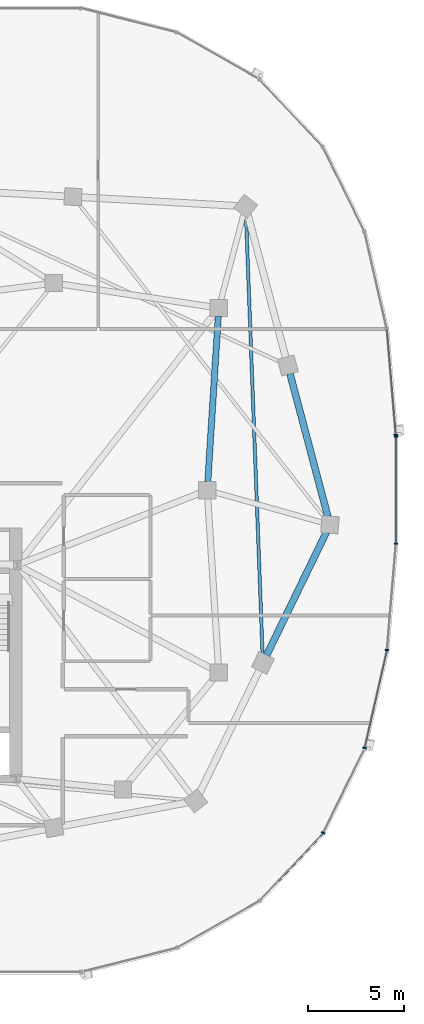
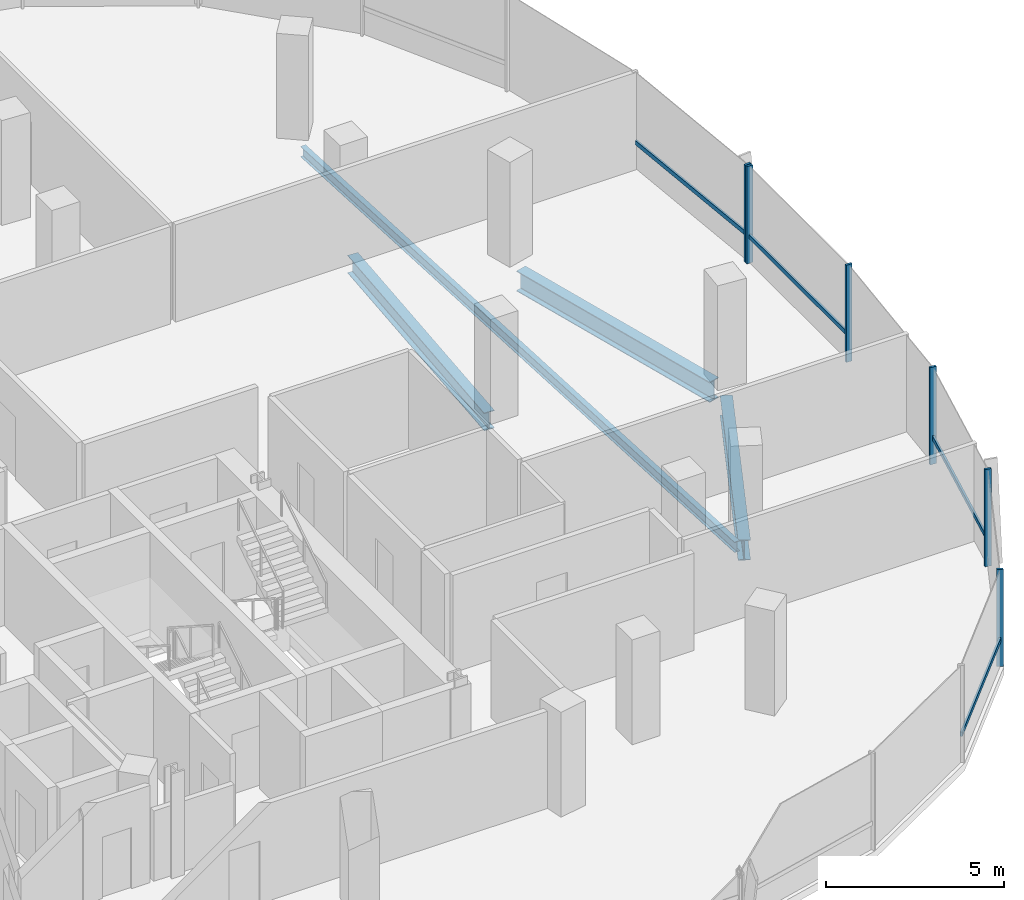
# One storey, part 10 of 25: 10 members, 4 beams, 2 elements without a shape of their own.
"""IFC4 building model written with IfcOpenShell, lengths in metres."""

from ifc_helpers import new_model, si_unit, direction, frame, origin, origin_2d, place, context, subcontext, project, spatial, rectangle, i_section, extrude, material, material_profile, profile_set, type_object, element, aggregate, save


model = new_model("IFC4")

# Units and contexts
model_context = context("Model", 3, precision=1e-05, world=origin(), true_north=direction((0.0, 1.0)))
body_context = subcontext(model_context, "Body", "Model", "MODEL_VIEW")
ifc_project = project(units=[si_unit("LENGTHUNIT", "METRE"), si_unit("AREAUNIT", "SQUARE_METRE"), si_unit("VOLUMEUNIT", "CUBIC_METRE"), si_unit("PLANEANGLEUNIT", "RADIAN"), si_unit("MASSUNIT", "GRAM", prefix="KILO"), si_unit("THERMODYNAMICTEMPERATUREUNIT", "KELVIN"), si_unit("POWERUNIT", "WATT")], contexts=[model_context])

# Site, building, storey
site_placement = place(None, origin())
site = spatial("IfcSite", under=ifc_project, at=site_placement, CompositionType="ELEMENT")
building_placement = place(site_placement, origin())
building = spatial("IfcBuilding", under=site, at=building_placement, Name="Cundina Bronze Exchange", CompositionType="ELEMENT")
storey_placement = place(building_placement, frame((0.0, 0.0, 209.800048828125)))
storey = spatial("IfcBuildingStorey", under=building, at=storey_placement, Name="L55", CompositionType="ELEMENT", Elevation=209.800048828125)

# Beams
ifc_material_1 = material(Name="Steel ASTM A992 Grade 50", Category="steel")
ifc_material_profile_1 = material_profile(ifc_material_1, i_section(OverallWidth=0.172119140625, OverallDepth=0.35791015625, WebThickness=0.0078125, FlangeThickness=0.01318359375, FilletRadius=0.010009765625, at=origin_2d()), Name="W14X38", Category="steel")
ifc_profile_set_1 = profile_set([ifc_material_profile_1], Name="Steel ASTM A992 Grade 50")
beam_type_1 = type_object("IfcBeamType", Name="BM-JST-W14", PredefinedType="JOIST", material=ifc_profile_set_1)
beam_1_placement = place(storey_placement, frame((44.08349609375, -8.562255859375, -0.43896484375), z_axis=(-0.037790216102, 0.999285694667, 0.0), x_axis=(-0.999285694667, -0.037790216102, 0.0)))
element("IfcBeam", 1, at=beam_1_placement, inside=storey, type_object=beam_type_1, Name="L55 Leg E Lobe Floor Joist 07-10", PredefinedType="JOIST", context=body_context, shape_type="SweptSolid", body=[
    extrude(i_section(OverallWidth=0.172119140625, OverallDepth=0.35791015625, WebThickness=0.0078125, FlangeThickness=0.01318359375, FilletRadius=0.010009765625, at=origin_2d()), origin(), (0.0, 0.0, 1.0), 22.94091796875),
])
ifc_material_profile_2 = material_profile(ifc_material_1, i_section(OverallWidth=0.324951171875, OverallDepth=0.615966796875, WebThickness=0.013916015625, FlangeThickness=0.021484375, FilletRadius=0.01611328125, at=origin_2d()), Name="W24X117", Category="steel")
ifc_profile_set_2 = profile_set([ifc_material_profile_2], Name="Steel ASTM A992 Grade 50")
beam_type_2 = type_object("IfcBeamType", Name="BM-RING-W24", PredefinedType="USERDEFINED", material=ifc_profile_set_2)
beam_2_placement = place(storey_placement, frame((41.2275390625, 0.43701171875, -0.568115234375), z_axis=(0.063046519736, 0.998010589297, 0.0), x_axis=(-0.998010589297, 0.063046519736, 0.0)))
element("IfcBeam", 2, at=beam_2_placement, inside=storey, type_object=beam_type_2, Name="L55 E Inner Structural Ring Girder 04", ObjectType="GIRDER", PredefinedType="USERDEFINED", context=body_context, shape_type="SweptSolid", body=[
    extrude(i_section(OverallWidth=0.324951171875, OverallDepth=0.615966796875, WebThickness=0.013916015625, FlangeThickness=0.021484375, FilletRadius=0.01611328125, at=origin_2d()), origin(), (0.0, 0.0, 1.0), 8.64306640625),
])
ifc_material_profile_3 = material_profile(ifc_material_1, i_section(OverallWidth=0.35498046875, OverallDepth=0.695068359375, WebThickness=0.015380859375, FlangeThickness=0.02490234375, FilletRadius=0.01806640625, at=origin_2d()), Name="W27X146", Category="steel")
ifc_profile_set_3 = profile_set([ifc_material_profile_3], Name="Steel ASTM A992 Grade 50")
beam_type_3 = type_object("IfcBeamType", Name="BM-RING-W27", PredefinedType="USERDEFINED", material=ifc_profile_set_3)
beam_3_placement = place(storey_placement, frame((44.29150390625, -8.606201171875, -0.607666015625), z_axis=(0.437173087764, 0.89937739094, 0.0), x_axis=(-0.89937739094, 0.437173087764, 0.0)))
element("IfcBeam", 3, at=beam_3_placement, inside=storey, type_object=beam_type_3, Name="L55 E Perimeter Ring Girder 07", ObjectType="GIRDER", PredefinedType="USERDEFINED", context=body_context, shape_type="SweptSolid", body=[
    extrude(i_section(OverallWidth=0.35498046875, OverallDepth=0.695068359375, WebThickness=0.015380859375, FlangeThickness=0.02490234375, FilletRadius=0.01806640625, at=origin_2d()), origin(), (0.0, 0.0, 1.0), 7.1298828125),
])
beam_4_placement = place(storey_placement, frame((47.48779296875, -1.376708984375, -0.607666015625), z_axis=(-0.256211934474, 0.966620631185, 0.0), x_axis=(-0.966620631185, -0.256211934474, 0.0)))
element("IfcBeam", 4, at=beam_4_placement, inside=storey, type_object=beam_type_3, Name="L55 E Perimeter Ring Girder 08", ObjectType="GIRDER", PredefinedType="USERDEFINED", context=body_context, shape_type="SweptSolid", body=[
    extrude(i_section(OverallWidth=0.35498046875, OverallDepth=0.695068359375, WebThickness=0.015380859375, FlangeThickness=0.02490234375, FilletRadius=0.01806640625, at=origin_2d()), origin(), (0.0, 0.0, 1.0), 7.710693359375),
])

# Curtain wall, member
ifc_material_2 = material(Name="Anodised Bronze Aluminium 6063-T6", Category="aluminium")
curtain_wall_type = type_object("IfcCurtainWallType", Name="CWS-UPP-OFF", PredefinedType="NOTDEFINED", material=ifc_material_2)
curtain_wall_1_placement = place(storey_placement, origin())
curtain_wall_1 = element("IfcCurtainWall", 5, at=curtain_wall_1_placement, inside=storey, type_object=curtain_wall_type, Name="L55 CW-05 Curtain Wall Run CWR-L55-E1", PredefinedType="NOTDEFINED")
ifc_material_profile_4 = material_profile(ifc_material_2, rectangle(XDim=0.070068359375, YDim=0.18994140625, at=origin_2d()), Name="AL70X190", Category="aluminium")
ifc_profile_set_4 = profile_set([ifc_material_profile_4], Name="Anodised Bronze Aluminium 6063-T6")
member_type_1 = type_object("IfcMemberType", Name="CWM-MUL-190", PredefinedType="MULLION", material=ifc_profile_set_4)
member_1_placement = place(storey_placement, frame((51.0302734375, 2.88330078125, 0.0), z_axis=(0.0, 0.0, 1.0), x_axis=(-0.083677843332, 0.99649285925, 0.0)))
member_1 = element("IfcMember", 6, at=member_1_placement, type_object=member_type_1, Name="CW-05 Mullion 1", PredefinedType="MULLION", context=body_context, shape_type="SweptSolid", body=[
    extrude(rectangle(XDim=0.070068359375, YDim=0.18994140625, at=origin_2d()), origin(), (0.0, 0.0, 1.0), 3.33984375),
])

# Curtain wall, members
curtain_wall_2_placement = place(storey_placement, origin())
curtain_wall_2 = element("IfcCurtainWall", 7, at=curtain_wall_2_placement, inside=storey, type_object=curtain_wall_type, Name="L55 CW-05 Curtain Wall Run CWR-L55-E4", PredefinedType="NOTDEFINED")
member_2_placement = place(storey_placement, frame((47.245361328125, -17.866455078125, 0.0), z_axis=(0.0, 0.0, 1.0), x_axis=(0.440566004113, 0.897720221461, 0.0)))
member_2 = element("IfcMember", 8, at=member_2_placement, type_object=member_type_1, Name="CW-05 Mullion 4", PredefinedType="MULLION", context=body_context, shape_type="SweptSolid", body=[
    extrude(rectangle(XDim=0.070068359375, YDim=0.18994140625, at=origin_2d()), origin(), (0.0, 0.0, 1.0), 3.33984375),
])
member_3_placement = place(storey_placement, frame((49.40771484375, -13.440673828125, 0.0), z_axis=(0.0, 0.0, 1.0), x_axis=(0.223250116011, 0.974761194191, 0.0)))
member_3 = element("IfcMember", 9, at=member_3_placement, type_object=member_type_1, Name="CW-05 Mullion 5", PredefinedType="MULLION", context=body_context, shape_type="SweptSolid", body=[
    extrude(rectangle(XDim=0.070068359375, YDim=0.18994140625, at=origin_2d()), origin(), (0.0, 0.0, 1.0), 3.33984375),
])
member_4_placement = place(storey_placement, frame((50.572509765625, -8.33056640625, 0.0), z_axis=(0.0, 0.0, 1.0), x_axis=(0.083677843332, 0.99649285925, 0.0)))
member_4 = element("IfcMember", 10, at=member_4_placement, type_object=member_type_1, Name="CW-05 Mullion 6", PredefinedType="MULLION", context=body_context, shape_type="SweptSolid", body=[
    extrude(rectangle(XDim=0.070068359375, YDim=0.18994140625, at=origin_2d()), origin(), (0.0, 0.0, 1.0), 3.33984375),
])
member_5_placement = place(storey_placement, frame((51.033935546875, -2.794921875, 0.0), z_axis=(0.0, 0.0, 1.0), x_axis=(0.0, 1.0, 0.0)))
member_5 = element("IfcMember", 11, at=member_5_placement, type_object=member_type_1, Name="CW-05 Mullion 7", PredefinedType="MULLION", context=body_context, shape_type="SweptSolid", body=[
    extrude(rectangle(XDim=0.070068359375, YDim=0.18994140625, at=origin_2d()), origin(), (0.0, 0.0, 1.0), 3.33984375),
])
member_6_placement = place(storey_placement, frame((51.033935546875, 2.794921875, 0.0), z_axis=(0.0, 0.0, 1.0), x_axis=(0.0, 1.0, 0.0)))
member_6 = element("IfcMember", 12, at=member_6_placement, type_object=member_type_1, Name="CW-05 End Mullion", PredefinedType="MULLION", context=body_context, shape_type="SweptSolid", body=[
    extrude(rectangle(XDim=0.070068359375, YDim=0.18994140625, at=origin_2d()), origin(), (0.0, 0.0, 1.0), 3.33984375),
])

# Member
ifc_material_profile_5 = material_profile(ifc_material_2, rectangle(XDim=0.06494140625, YDim=0.14990234375, at=origin_2d()), Name="AL65X150", Category="aluminium")
ifc_profile_set_5 = profile_set([ifc_material_profile_5], Name="Anodised Bronze Aluminium 6063-T6")
member_type_2 = type_object("IfcMemberType", Name="CWM-TRN-150", PredefinedType="USERDEFINED", material=ifc_profile_set_5)
member_7_placement = place(storey_placement, frame((51.027099609375, 2.921630859375, 0.919921875), z_axis=(-0.083740331158, 0.996487610027, 0.0), x_axis=(-0.996487610027, -0.083740331158, 0.0)))
member_7 = element("IfcMember", 13, at=member_7_placement, type_object=member_type_2, Name="CW-05 Spandrel Transom 1", ObjectType="TRANSOM", PredefinedType="USERDEFINED", context=body_context, shape_type="SweptSolid", body=[
    extrude(rectangle(XDim=0.06494140625, YDim=0.14990234375, at=origin_2d()), origin(), (0.0, 0.0, 1.0), 5.466552734375),
])

aggregate(curtain_wall_1, [member_1, member_7])

member_8_placement = place(storey_placement, frame((43.97509765625, -21.364501953125, 0.919921875), z_axis=(0.684336416554, 0.729166420633, 0.0), x_axis=(-0.729166420633, 0.684336416554, 0.0)))
member_8 = element("IfcMember", 14, at=member_8_placement, type_object=member_type_2, Name="CW-05 Spandrel Transom 3", ObjectType="TRANSOM", PredefinedType="USERDEFINED", context=body_context, shape_type="SweptSolid", body=[
    extrude(rectangle(XDim=0.06494140625, YDim=0.14990234375, at=origin_2d()), origin(), (0.0, 0.0, 1.0), 4.76513671875),
])

member_9_placement = place(storey_placement, frame((49.41650390625, -13.403076171875, 0.919921875), z_axis=(0.22328343579, 0.974753562344, 0.0), x_axis=(-0.974753562344, 0.22328343579, 0.0)))
member_9 = element("IfcMember", 15, at=member_9_placement, type_object=member_type_2, Name="CW-05 Spandrel Transom 5", ObjectType="TRANSOM", PredefinedType="USERDEFINED", context=body_context, shape_type="SweptSolid", body=[
    extrude(rectangle(XDim=0.06494140625, YDim=0.14990234375, at=origin_2d()), origin(), (0.0, 0.0, 1.0), 5.159912109375),
])

member_10_placement = place(storey_placement, frame((51.033935546875, -2.756591796875, 0.919921875), z_axis=(0.0, 1.0, 0.0), x_axis=(-1.0, 0.0, 0.0)))
member_10 = element("IfcMember", 16, at=member_10_placement, type_object=member_type_2, Name="CW-05 Spandrel Transom 7", ObjectType="TRANSOM", PredefinedType="USERDEFINED", context=body_context, shape_type="SweptSolid", body=[
    extrude(rectangle(XDim=0.06494140625, YDim=0.14990234375, at=origin_2d()), origin(), (0.0, 0.0, 1.0), 5.51318359375),
])

aggregate(curtain_wall_2, [member_8, member_2, member_3, member_9, member_4, member_5, member_6, member_10])

save(model, "model.ifc")
